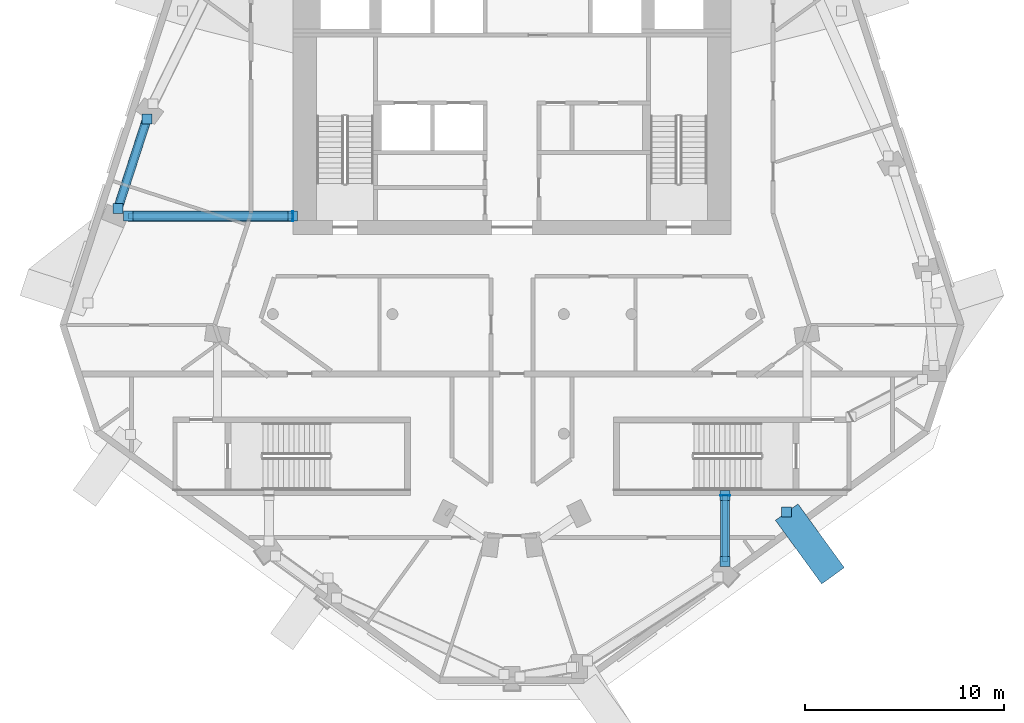
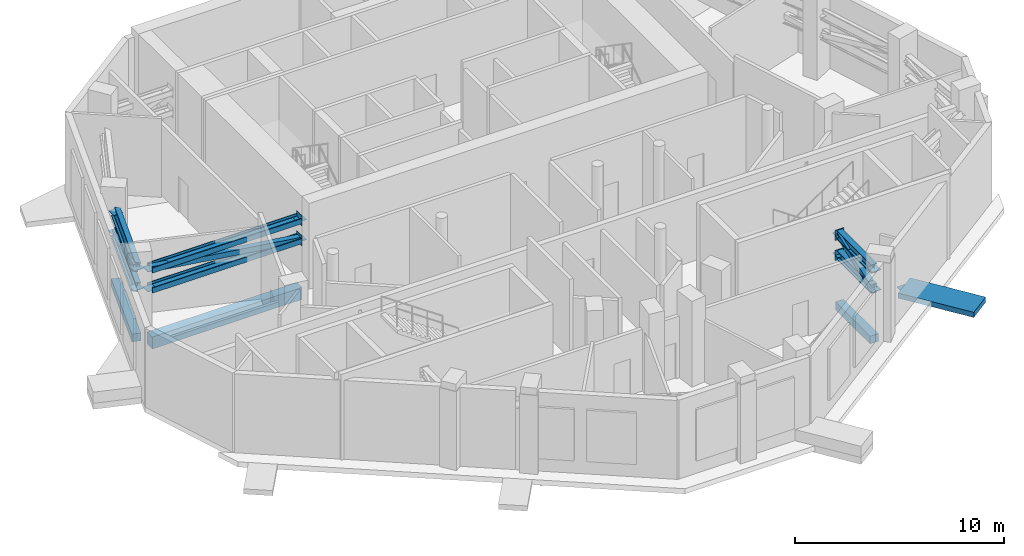
# One storey, part 3 of 15: 17 discrete accessories, 10 members, 3 beams.
"""IFC4 building model written with IfcOpenShell, lengths in metres."""

from ifc_helpers import new_model, si_unit, direction, frame, origin, origin_2d, place, context, subcontext, project, spatial, rectangle, hollow_rectangle, i_section, extrude, material, layer, layer_set, material_profile, profile_set, type_object, element, aggregate, save


model = new_model("IFC4")

# Units and contexts
model_context = context("Model", 3, precision=1e-05, world=origin(), true_north=direction((0.0, 1.0)))
body_context = subcontext(model_context, "Body", "Model", "MODEL_VIEW")
ifc_project = project(units=[si_unit("LENGTHUNIT", "METRE"), si_unit("AREAUNIT", "SQUARE_METRE"), si_unit("VOLUMEUNIT", "CUBIC_METRE"), si_unit("PLANEANGLEUNIT", "RADIAN"), si_unit("MASSUNIT", "GRAM", prefix="KILO")], contexts=[model_context])

# Site, building, storey
site_placement = place(None, origin())
site = spatial("IfcSite", under=ifc_project, at=site_placement, CompositionType="ELEMENT")
building_placement = place(site_placement, origin())
building = spatial("IfcBuilding", under=site, at=building_placement, Name="White Candle Pilgrim Tower", CompositionType="ELEMENT")
storey_placement = place(building_placement, frame((0.0, 0.0, 295.10009765625)))
storey = spatial("IfcBuildingStorey", under=building, at=storey_placement, Name="L70", CompositionType="ELEMENT", Elevation=295.10009765625)

# Member
ifc_material_1 = material(Name="Steel S355", Category="steel")
ifc_material_profile_1 = material_profile(ifc_material_1, i_section(OverallWidth=0.305908203125, OverallDepth=0.52392578125, WebThickness=0.02099609375, FlangeThickness=0.0400390625, FilletRadius=0.027099609375, at=origin_2d()), Name="HEM 500")
ifc_profile_set_1 = profile_set([ifc_material_profile_1], Name="Steel S355")
member_type_1 = type_object("IfcMemberType", Name="Belt truss chord HEM 500 S355", PredefinedType="CHORD", material=ifc_profile_set_1)
member_1_placement = place(storey_placement, frame((80.68994140625, 54.576904296875, 2.411865234375), z_axis=(0.0, 1.0, 0.0), x_axis=(1.0, 0.0, 0.0)))
member_1 = element("IfcMember", 1, at=member_1_placement, inside=storey, type_object=member_type_1, Name="L70 belt truss bottom chord 05", PredefinedType="CHORD", context=body_context, shape_type="SweptSolid", body=[
    extrude(i_section(OverallWidth=0.305908203125, OverallDepth=0.52392578125, WebThickness=0.02099609375, FlangeThickness=0.0400390625, FilletRadius=0.027099609375, at=origin_2d()), origin(), (0.0, 0.0, 1.0), 3.322998046875),
])

member_2_placement = place(storey_placement, frame((80.68994140625, 54.576904296875, 3.577880859375), z_axis=(0.0, 1.0, 0.0), x_axis=(1.0, 0.0, 0.0)))
member_2 = element("IfcMember", 2, at=member_2_placement, inside=storey, type_object=member_type_1, Name="L70 belt truss top chord 05", PredefinedType="CHORD", context=body_context, shape_type="SweptSolid", body=[
    extrude(i_section(OverallWidth=0.305908203125, OverallDepth=0.52392578125, WebThickness=0.02099609375, FlangeThickness=0.0400390625, FilletRadius=0.027099609375, at=origin_2d()), origin(), (0.0, 0.0, 1.0), 3.322998046875),
])

member_3_placement = place(storey_placement, frame((51.68017578125, 76.7900390625, 2.411865234375), z_axis=(-0.308643859688, -0.95117767419, 0.0), x_axis=(0.904740175399, -0.293575540434, -0.308639947315)))
member_3 = element("IfcMember", 3, at=member_3_placement, inside=storey, type_object=member_type_1, Name="L70 belt truss bottom chord 13", PredefinedType="CHORD", context=body_context, shape_type="SweptSolid", body=[
    extrude(i_section(OverallWidth=0.305908203125, OverallDepth=0.52392578125, WebThickness=0.02099609375, FlangeThickness=0.0400390625, FilletRadius=0.027099609375, at=origin_2d()), origin(), (0.0, 0.0, 1.0), 4.71923828125),
])

member_4_placement = place(storey_placement, frame((51.68017578125, 76.7900390625, 3.577880859375), z_axis=(-0.308643859688, -0.95117767419, 0.0), x_axis=(0.904740175399, -0.293575540434, -0.308639947315)))
member_4 = element("IfcMember", 4, at=member_4_placement, inside=storey, type_object=member_type_1, Name="L70 belt truss top chord 13", PredefinedType="CHORD", context=body_context, shape_type="SweptSolid", body=[
    extrude(i_section(OverallWidth=0.305908203125, OverallDepth=0.52392578125, WebThickness=0.02099609375, FlangeThickness=0.0400390625, FilletRadius=0.027099609375, at=origin_2d()), origin(), (0.0, 0.0, 1.0), 4.71923828125),
])

member_5_placement = place(storey_placement, frame((50.745849609375, 71.919921875, 2.411865234375), z_axis=(1.0, 0.0, 0.0), x_axis=(0.0, 0.0, 1.0)))
member_5 = element("IfcMember", 5, at=member_5_placement, inside=storey, type_object=member_type_1, Name="L70 belt truss bottom chord 14", PredefinedType="CHORD", context=body_context, shape_type="SweptSolid", body=[
    extrude(i_section(OverallWidth=0.305908203125, OverallDepth=0.52392578125, WebThickness=0.02099609375, FlangeThickness=0.0400390625, FilletRadius=0.027099609375, at=origin_2d()), origin(), (0.0, 0.0, 1.0), 8.254150390625),
])

member_6_placement = place(storey_placement, frame((50.745849609375, 71.919921875, 3.577880859375), z_axis=(1.0, 0.0, 0.0), x_axis=(0.0, 0.0, 1.0)))
member_6 = element("IfcMember", 6, at=member_6_placement, inside=storey, type_object=member_type_1, Name="L70 belt truss top chord 14", PredefinedType="CHORD", context=body_context, shape_type="SweptSolid", body=[
    extrude(i_section(OverallWidth=0.305908203125, OverallDepth=0.52392578125, WebThickness=0.02099609375, FlangeThickness=0.0400390625, FilletRadius=0.027099609375, at=origin_2d()), origin(), (0.0, 0.0, 1.0), 8.254150390625),
])

# Members
ifc_material_profile_2 = material_profile(ifc_material_1, hollow_rectangle(XDim=0.300048828125, YDim=0.300048828125, WallThickness=0.01611328125, at=origin_2d()), Name="SHS 300x300x16")
ifc_profile_set_2 = profile_set([ifc_material_profile_2], Name="Steel S355")
member_type_2 = type_object("IfcMemberType", Name="Belt truss diagonal SHS 300x300x16 S355", PredefinedType="BRACE", material=ifc_profile_set_2)
member_7_placement = place(storey_placement, frame((80.68994140625, 54.576904296875, 2.411865234375), z_axis=(0.0, 0.943595422376, 0.33110070805), x_axis=(-1.0, 0.0, 0.0)))
element("IfcMember", 7, at=member_7_placement, inside=storey, type_object=member_type_2, Name="L70 belt truss diagonal 05", PredefinedType="BRACE", context=body_context, shape_type="SweptSolid", body=[
    extrude(hollow_rectangle(XDim=0.300048828125, YDim=0.300048828125, WallThickness=0.01611328125, at=origin_2d()), origin(), (0.0, 0.0, 1.0), 3.521728515625),
])
member_8_placement = place(storey_placement, frame((51.68017578125, 76.7900390625, 2.411865234375), z_axis=(-0.299633214686, -0.923408696817, 0.239867286849), x_axis=(0.95117767419, -0.308643859688, 0.0)))
element("IfcMember", 8, at=member_8_placement, inside=storey, type_object=member_type_2, Name="L70 belt truss diagonal 13", PredefinedType="BRACE", context=body_context, shape_type="SweptSolid", body=[
    extrude(hollow_rectangle(XDim=0.300048828125, YDim=0.300048828125, WallThickness=0.01611328125, at=origin_2d()), origin(), (0.0, 0.0, 1.0), 4.861083984375),
])
member_9_placement = place(storey_placement, frame((50.745849609375, 71.919921875, 3.577880859375), z_axis=(0.990169111899, 0.0, -0.139875408277), x_axis=(0.0, 1.0, 0.0)))
element("IfcMember", 9, at=member_9_placement, inside=storey, type_object=member_type_2, Name="L70 belt truss diagonal 14", PredefinedType="BRACE", context=body_context, shape_type="SweptSolid", body=[
    extrude(hollow_rectangle(XDim=0.300048828125, YDim=0.300048828125, WallThickness=0.01611328125, at=origin_2d()), origin(), (0.0, 0.0, 1.0), 8.336181640625),
])

# Member
ifc_material_2 = material(Name="Concrete C70/85, white", Category="concrete")
ifc_layer_1 = layer(ifc_material_2, 0.300048828125)
ifc_layer_set_1 = layer_set([ifc_layer_1], Name="Node tie strut 3950x1400x300 C70/85")
member_type_3 = type_object("IfcMemberType", Name="Node tie strut 3950x1400x300 C70/85", PredefinedType="STRUT", material=ifc_layer_set_1)
member_10_placement = place(storey_placement, frame((84.943115234375, 55.467041015625, -0.30029296875), z_axis=(0.0, 0.0, 1.0), x_axis=(0.809016994375, 0.587785252292, 0.0)))
member_10 = element("IfcMember", 10, at=member_10_placement, inside=storey, type_object=member_type_3, Name="Node tie strut NC244", PredefinedType="STRUT", context=body_context, shape_type="SweptSolid", body=[
    extrude(rectangle(XDim=1.39990234375, YDim=3.949951171875, at=origin_2d()), origin(), (0.0, 0.0, 1.0), 0.300048828125),
])

# Beams
ifc_material_3 = material(Name="Concrete C50/60", Category="concrete")
ifc_material_profile_3 = material_profile(ifc_material_3, rectangle(XDim=0.449951171875, YDim=0.449951171875, at=origin_2d()), Name="RC-BM 450x450")
ifc_profile_set_3 = profile_set([ifc_material_profile_3], Name="Concrete C50/60")
beam_type_1 = type_object("IfcBeamType", Name="Spandrel beam RC-BM 450x450 C50/60", PredefinedType="BEAM", material=ifc_profile_set_3)
beam_1_placement = place(storey_placement, frame((80.68994140625, 54.576904296875, -0.525146484375), z_axis=(0.0, 1.0, 0.0), x_axis=(-1.0, 0.0, 0.0)))
element("IfcBeam", 11, at=beam_1_placement, inside=storey, type_object=beam_type_1, Name="L70 spandrel beam T05", PredefinedType="BEAM", context=body_context, shape_type="SweptSolid", body=[
    extrude(rectangle(XDim=0.449951171875, YDim=0.449951171875, at=origin_2d()), origin(), (0.0, 0.0, 1.0), 3.322998046875),
])
beam_2_placement = place(storey_placement, frame((51.68017578125, 76.7900390625, -0.525146484375), z_axis=(-0.308643859688, -0.95117767419, 0.0), x_axis=(0.95117767419, -0.308643859688, 0.0)))
element("IfcBeam", 12, at=beam_2_placement, inside=storey, type_object=beam_type_1, Name="L70 spandrel beam T13", PredefinedType="BEAM", context=body_context, shape_type="SweptSolid", body=[
    extrude(rectangle(XDim=0.449951171875, YDim=0.449951171875, at=origin_2d()), origin(), (0.0, 0.0, 1.0), 4.71923828125),
])
ifc_material_profile_4 = material_profile(ifc_material_3, rectangle(XDim=0.5, YDim=0.699951171875, at=origin_2d()), Name="RC-BM 500x700")
ifc_profile_set_4 = profile_set([ifc_material_profile_4], Name="Concrete C50/60")
beam_type_2 = type_object("IfcBeamType", Name="Spandrel beam RC-BM 500x700 C50/60", PredefinedType="BEAM", material=ifc_profile_set_4)
beam_3_placement = place(storey_placement, frame((50.745849609375, 71.919921875, -0.650146484375), z_axis=(1.0, 0.0, 0.0), x_axis=(0.0, 1.0, 0.0)))
element("IfcBeam", 13, at=beam_3_placement, inside=storey, type_object=beam_type_2, Name="L70 spandrel beam T14", PredefinedType="BEAM", context=body_context, shape_type="SweptSolid", body=[
    extrude(rectangle(XDim=0.5, YDim=0.699951171875, at=origin_2d()), origin(), (0.0, 0.0, 1.0), 8.254150390625),
])

# Discrete accessory
ifc_layer_2 = layer(ifc_material_1, 0.030029296875)
ifc_layer_set_2 = layer_set([ifc_layer_2], Name="Cast-in plate 500x600x30 S355")
discrete_accessory_type_1 = type_object("IfcDiscreteAccessoryType", Name="Cast-in plate 500x600x30 S355", PredefinedType="ANCHORPLATE", material=ifc_layer_set_2)
discrete_accessory_1_placement = place(storey_placement, frame((80.68994140625, 57.89990234375, 2.11181640625), z_axis=(0.0, 0.0, 1.0), x_axis=(0.0, -1.0, 0.0)))
discrete_accessory_1 = element("IfcDiscreteAccessory", 14, at=discrete_accessory_1_placement, type_object=discrete_accessory_type_1, Name="Cast-in plate 0033", PredefinedType="ANCHORPLATE", context=body_context, shape_type="SweptSolid", body=[
    extrude(rectangle(XDim=0.030029296875, YDim=0.5, at=origin_2d()), origin(), (0.0, 0.0, 1.0), 0.60009765625),
])

discrete_accessory_2_placement = place(storey_placement, frame((80.68994140625, 57.89990234375, 3.27783203125), z_axis=(0.0, 0.0, 1.0), x_axis=(0.0, -1.0, 0.0)))
discrete_accessory_2 = element("IfcDiscreteAccessory", 15, at=discrete_accessory_2_placement, type_object=discrete_accessory_type_1, Name="Cast-in plate 0034", PredefinedType="ANCHORPLATE", context=body_context, shape_type="SweptSolid", body=[
    extrude(rectangle(XDim=0.030029296875, YDim=0.5, at=origin_2d()), origin(), (0.0, 0.0, 1.0), 0.60009765625),
])

discrete_accessory_3_placement = place(storey_placement, frame((59.0, 71.919921875, 2.11181640625), z_axis=(0.0, 0.0, 1.0), x_axis=(-1.0, 0.0, 0.0)))
discrete_accessory_3 = element("IfcDiscreteAccessory", 16, at=discrete_accessory_3_placement, type_object=discrete_accessory_type_1, Name="Cast-in plate 0041", PredefinedType="ANCHORPLATE", context=body_context, shape_type="SweptSolid", body=[
    extrude(rectangle(XDim=0.030029296875, YDim=0.5, at=origin_2d()), origin(), (0.0, 0.0, 1.0), 0.60009765625),
])

discrete_accessory_4_placement = place(storey_placement, frame((59.0, 71.919921875, 3.27783203125), z_axis=(0.0, 0.0, 1.0), x_axis=(-1.0, 0.0, 0.0)))
discrete_accessory_4 = element("IfcDiscreteAccessory", 17, at=discrete_accessory_4_placement, type_object=discrete_accessory_type_1, Name="Cast-in plate 0042", PredefinedType="ANCHORPLATE", context=body_context, shape_type="SweptSolid", body=[
    extrude(rectangle(XDim=0.030029296875, YDim=0.5, at=origin_2d()), origin(), (0.0, 0.0, 1.0), 0.60009765625),
])

ifc_layer_3 = layer(ifc_material_1, 0.02490234375)
ifc_layer_set_3 = layer_set([ifc_layer_3], Name="Gusset plate 500x500x25 S355")
discrete_accessory_type_2 = type_object("IfcDiscreteAccessoryType", Name="Gusset plate 500x500x25 S355", PredefinedType="BRACKET", material=ifc_layer_set_3)
discrete_accessory_5_placement = place(storey_placement, frame((83.7822265625, 57.064697265625, -0.16259765625), z_axis=(0.0, 0.0, 1.0), x_axis=(1.0, 0.0, 0.0)))
discrete_accessory_5 = element("IfcDiscreteAccessory", 18, at=discrete_accessory_5_placement, type_object=discrete_accessory_type_2, Name="Gusset plate 0625", PredefinedType="BRACKET", context=body_context, shape_type="SweptSolid", body=[
    extrude(rectangle(XDim=0.5, YDim=0.5, at=origin_2d()), origin(), (0.0, 0.0, 1.0), 0.02490234375),
])

aggregate(member_10, [discrete_accessory_5])

discrete_accessory_6_placement = place(storey_placement, frame((80.68994140625, 54.576904296875, 2.3994140625), z_axis=(0.0, 0.0, 1.0), x_axis=(1.0, 0.0, 0.0)))
discrete_accessory_6 = element("IfcDiscreteAccessory", 19, at=discrete_accessory_6_placement, type_object=discrete_accessory_type_2, Name="Gusset plate 0914", PredefinedType="BRACKET", context=body_context, shape_type="SweptSolid", body=[
    extrude(rectangle(XDim=0.5, YDim=0.5, at=origin_2d()), origin(), (0.0, 0.0, 1.0), 0.02490234375),
])

discrete_accessory_7_placement = place(storey_placement, frame((80.68994140625, 57.89990234375, 2.3994140625), z_axis=(0.0, 0.0, 1.0), x_axis=(1.0, 0.0, 0.0)))
discrete_accessory_7 = element("IfcDiscreteAccessory", 20, at=discrete_accessory_7_placement, type_object=discrete_accessory_type_2, Name="Gusset plate 0915", PredefinedType="BRACKET", context=body_context, shape_type="SweptSolid", body=[
    extrude(rectangle(XDim=0.5, YDim=0.5, at=origin_2d()), origin(), (0.0, 0.0, 1.0), 0.02490234375),
])

aggregate(member_1, [discrete_accessory_6, discrete_accessory_7, discrete_accessory_1])

discrete_accessory_8_placement = place(storey_placement, frame((80.68994140625, 54.576904296875, 3.5654296875), z_axis=(0.0, 0.0, 1.0), x_axis=(1.0, 0.0, 0.0)))
discrete_accessory_8 = element("IfcDiscreteAccessory", 21, at=discrete_accessory_8_placement, type_object=discrete_accessory_type_2, Name="Gusset plate 0916", PredefinedType="BRACKET", context=body_context, shape_type="SweptSolid", body=[
    extrude(rectangle(XDim=0.5, YDim=0.5, at=origin_2d()), origin(), (0.0, 0.0, 1.0), 0.02490234375),
])

discrete_accessory_9_placement = place(storey_placement, frame((80.68994140625, 57.89990234375, 3.5654296875), z_axis=(0.0, 0.0, 1.0), x_axis=(1.0, 0.0, 0.0)))
discrete_accessory_9 = element("IfcDiscreteAccessory", 22, at=discrete_accessory_9_placement, type_object=discrete_accessory_type_2, Name="Gusset plate 0917", PredefinedType="BRACKET", context=body_context, shape_type="SweptSolid", body=[
    extrude(rectangle(XDim=0.5, YDim=0.5, at=origin_2d()), origin(), (0.0, 0.0, 1.0), 0.02490234375),
])

aggregate(member_2, [discrete_accessory_8, discrete_accessory_9, discrete_accessory_2])

discrete_accessory_10_placement = place(storey_placement, frame((51.68017578125, 76.7900390625, 2.3994140625), z_axis=(0.0, 0.0, 1.0), x_axis=(1.0, 0.0, 0.0)))
discrete_accessory_10 = element("IfcDiscreteAccessory", 23, at=discrete_accessory_10_placement, type_object=discrete_accessory_type_2, Name="Gusset plate 0946", PredefinedType="BRACKET", context=body_context, shape_type="SweptSolid", body=[
    extrude(rectangle(XDim=0.5, YDim=0.5, at=origin_2d()), origin(), (0.0, 0.0, 1.0), 0.02490234375),
])

discrete_accessory_11_placement = place(storey_placement, frame((50.2236328125, 72.30126953125, 2.3994140625), z_axis=(0.0, 0.0, 1.0), x_axis=(1.0, 0.0, 0.0)))
discrete_accessory_11 = element("IfcDiscreteAccessory", 24, at=discrete_accessory_11_placement, type_object=discrete_accessory_type_2, Name="Gusset plate 0947", PredefinedType="BRACKET", context=body_context, shape_type="SweptSolid", body=[
    extrude(rectangle(XDim=0.5, YDim=0.5, at=origin_2d()), origin(), (0.0, 0.0, 1.0), 0.02490234375),
])

aggregate(member_3, [discrete_accessory_10, discrete_accessory_11])

discrete_accessory_12_placement = place(storey_placement, frame((51.68017578125, 76.7900390625, 3.5654296875), z_axis=(0.0, 0.0, 1.0), x_axis=(1.0, 0.0, 0.0)))
discrete_accessory_12 = element("IfcDiscreteAccessory", 25, at=discrete_accessory_12_placement, type_object=discrete_accessory_type_2, Name="Gusset plate 0948", PredefinedType="BRACKET", context=body_context, shape_type="SweptSolid", body=[
    extrude(rectangle(XDim=0.5, YDim=0.5, at=origin_2d()), origin(), (0.0, 0.0, 1.0), 0.02490234375),
])

discrete_accessory_13_placement = place(storey_placement, frame((50.2236328125, 72.30126953125, 3.5654296875), z_axis=(0.0, 0.0, 1.0), x_axis=(1.0, 0.0, 0.0)))
discrete_accessory_13 = element("IfcDiscreteAccessory", 26, at=discrete_accessory_13_placement, type_object=discrete_accessory_type_2, Name="Gusset plate 0949", PredefinedType="BRACKET", context=body_context, shape_type="SweptSolid", body=[
    extrude(rectangle(XDim=0.5, YDim=0.5, at=origin_2d()), origin(), (0.0, 0.0, 1.0), 0.02490234375),
])

aggregate(member_4, [discrete_accessory_12, discrete_accessory_13])

discrete_accessory_14_placement = place(storey_placement, frame((50.745849609375, 71.919921875, 2.3994140625), z_axis=(0.0, 0.0, 1.0), x_axis=(1.0, 0.0, 0.0)))
discrete_accessory_14 = element("IfcDiscreteAccessory", 27, at=discrete_accessory_14_placement, type_object=discrete_accessory_type_2, Name="Gusset plate 0950", PredefinedType="BRACKET", context=body_context, shape_type="SweptSolid", body=[
    extrude(rectangle(XDim=0.5, YDim=0.5, at=origin_2d()), origin(), (0.0, 0.0, 1.0), 0.02490234375),
])

discrete_accessory_15_placement = place(storey_placement, frame((59.0, 71.919921875, 2.3994140625), z_axis=(0.0, 0.0, 1.0), x_axis=(1.0, 0.0, 0.0)))
discrete_accessory_15 = element("IfcDiscreteAccessory", 28, at=discrete_accessory_15_placement, type_object=discrete_accessory_type_2, Name="Gusset plate 0951", PredefinedType="BRACKET", context=body_context, shape_type="SweptSolid", body=[
    extrude(rectangle(XDim=0.5, YDim=0.5, at=origin_2d()), origin(), (0.0, 0.0, 1.0), 0.02490234375),
])

aggregate(member_5, [discrete_accessory_14, discrete_accessory_15, discrete_accessory_3])

discrete_accessory_16_placement = place(storey_placement, frame((50.745849609375, 71.919921875, 3.5654296875), z_axis=(0.0, 0.0, 1.0), x_axis=(1.0, 0.0, 0.0)))
discrete_accessory_16 = element("IfcDiscreteAccessory", 29, at=discrete_accessory_16_placement, type_object=discrete_accessory_type_2, Name="Gusset plate 0952", PredefinedType="BRACKET", context=body_context, shape_type="SweptSolid", body=[
    extrude(rectangle(XDim=0.5, YDim=0.5, at=origin_2d()), origin(), (0.0, 0.0, 1.0), 0.02490234375),
])

discrete_accessory_17_placement = place(storey_placement, frame((59.0, 71.919921875, 3.5654296875), z_axis=(0.0, 0.0, 1.0), x_axis=(1.0, 0.0, 0.0)))
discrete_accessory_17 = element("IfcDiscreteAccessory", 30, at=discrete_accessory_17_placement, type_object=discrete_accessory_type_2, Name="Gusset plate 0953", PredefinedType="BRACKET", context=body_context, shape_type="SweptSolid", body=[
    extrude(rectangle(XDim=0.5, YDim=0.5, at=origin_2d()), origin(), (0.0, 0.0, 1.0), 0.02490234375),
])

aggregate(member_6, [discrete_accessory_16, discrete_accessory_17, discrete_accessory_4])

save(model, "model.ifc")
